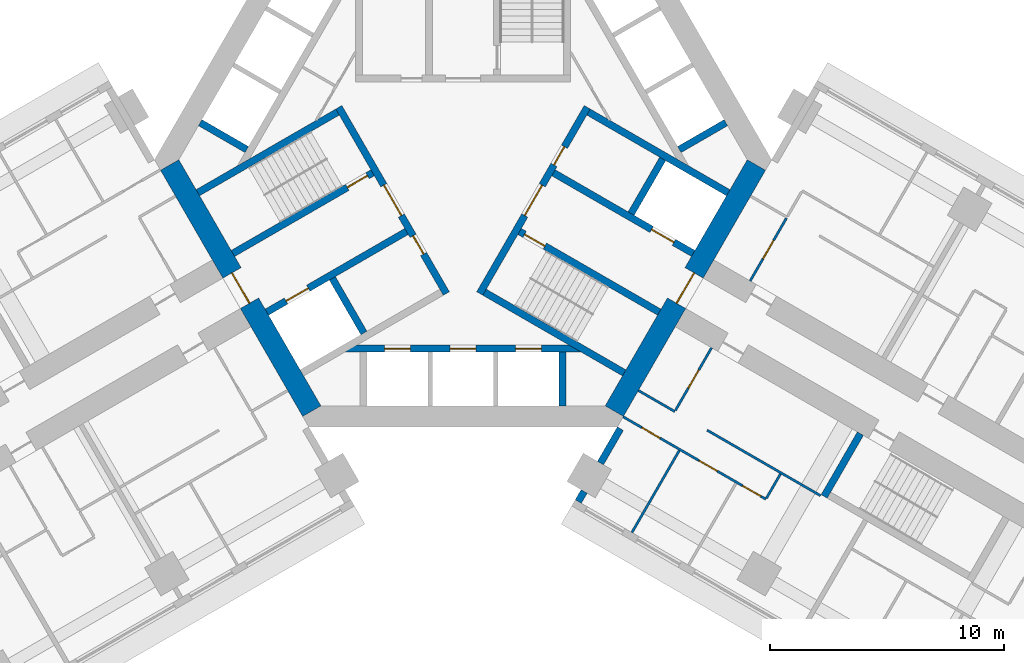
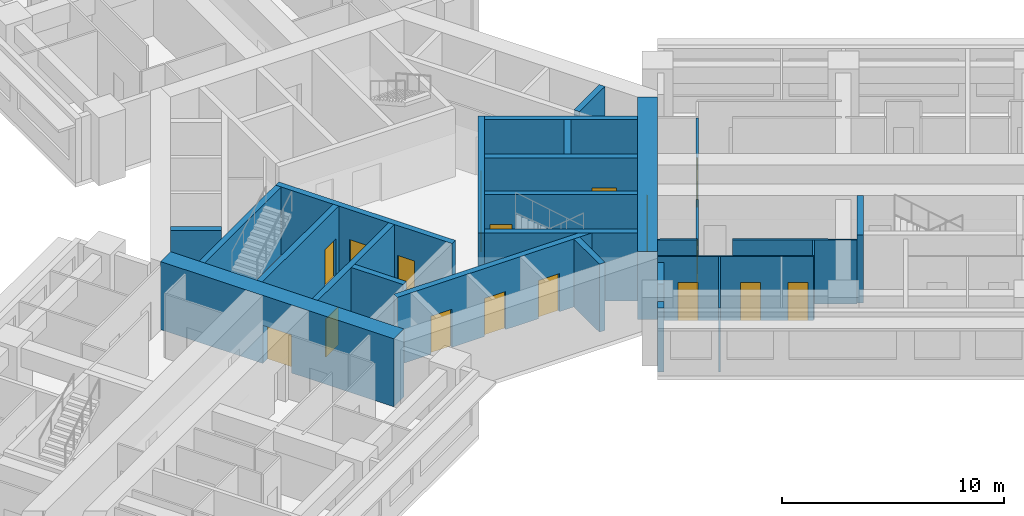
# One storey, part 7 of 16: 27 walls, 18 doors, 18 openings.
"""IFC4 building model written with IfcOpenShell, lengths in metres."""

from ifc_helpers import new_model, si_unit, direction, frame, frame_2d, origin, place, context, subcontext, project, spatial, rectangle, extrude, material, layer, layer_set, type_object, element, fill, save


model = new_model("IFC4")

# Units and contexts
model_context = context("Model", 3, precision=1e-05, world=origin(), true_north=direction((0.0, 1.0)))
body_context = subcontext(model_context, "Body", "Model", "MODEL_VIEW")
ifc_project = project(units=[si_unit("LENGTHUNIT", "METRE"), si_unit("AREAUNIT", "SQUARE_METRE"), si_unit("VOLUMEUNIT", "CUBIC_METRE"), si_unit("PLANEANGLEUNIT", "RADIAN"), si_unit("MASSUNIT", "GRAM", prefix="KILO")], contexts=[model_context])

# Site, building, storey
site_placement = place(None, origin())
site = spatial("IfcSite", under=ifc_project, at=site_placement, CompositionType="ELEMENT")
building_placement = place(site_placement, origin())
building = spatial("IfcBuilding", under=site, at=building_placement, Name="Impinga Residences", CompositionType="ELEMENT")
storey_placement = place(building_placement, frame((0.0, 0.0, 59.75)))
storey = spatial("IfcBuildingStorey", under=building, at=storey_placement, Name="L14", CompositionType="ELEMENT", Elevation=59.75)

# Walls
ifc_material_1 = material(Name="Terracotta rainscreen on blockwork", Category="masonry")
ifc_layer_1 = layer(ifc_material_1, 0.300048828125)
ifc_layer_set_1 = layer_set([ifc_layer_1], Name="EW1 external wall, terracotta rainscreen on blockwork 300")
wall_type_1 = type_object("IfcWallType", Name="EW1 external wall, terracotta rainscreen on blockwork 300", PredefinedType="SOLIDWALL", material=ifc_layer_set_1)
wall_1_placement = place(storey_placement, frame((4.929931640625, -14.624267578125, 0.0), z_axis=(0.0, 0.0, 1.0), x_axis=(0.499919672301, 0.866071776036, 0.0)))
element("IfcWall", 1, at=wall_1_placement, inside=storey, type_object=wall_type_1, Name="External wall EW1 L14", PredefinedType="SOLIDWALL", context=body_context, shape_type="SweptSolid", body=[
    extrude(rectangle(XDim=0.5, YDim=0.300048828125, at=frame_2d((0.25, 0.0))), origin(), (0.0, 0.0, 1.0), 3.530029296875),
])
wall_2_placement = place(storey_placement, frame((5.8798828125, -12.978759765625, 0.0), z_axis=(0.0, 0.0, 1.0), x_axis=(0.500062241894, 0.865989465428, 0.0)))
element("IfcWall", 2, at=wall_2_placement, inside=storey, type_object=wall_type_1, Name="External wall EW1 L14", PredefinedType="SOLIDWALL", context=body_context, shape_type="SweptSolid", body=[
    extrude(rectangle(XDim=1.699951171875, YDim=0.300048828125, at=frame_2d((0.85009765625, 0.0))), origin(), (0.0, 0.0, 1.0), 3.530029296875),
])

# Wall, opening, door
ifc_material_2 = material(Name="Gypsum board on steel studs", Category="steel")
ifc_layer_2 = layer(ifc_material_2, 0.10009765625)
ifc_layer_set_2 = layer_set([ifc_layer_2], Name="Gypsum board on steel studs")
wall_type_2 = type_object("IfcWallType", Name="IP1 partition 100", PredefinedType="PARTITIONING", material=ifc_layer_set_2)
wall_3_placement = place(storey_placement, frame((12.283935546875, -5.186767578125, 0.0), z_axis=(0.0, 0.0, 1.0), x_axis=(0.499967891604, 0.866043940782, 0.0)))
wall_3 = element("IfcWall", 3, at=wall_3_placement, inside=storey, type_object=wall_type_2, Name="Partition L14-EA1:IB1", PredefinedType="PARTITIONING", context=body_context, shape_type="SweptSolid", body=[
    extrude(rectangle(XDim=3.099853515625, YDim=0.10009765625, at=frame_2d((1.5498046875, 0.0))), origin(), (0.0, 0.0, 1.0), 3.530029296875),
])
opening_1_placement = place(wall_3_placement, frame((1.10009765625, 0.0, 0.0)))
opening_1 = element("IfcOpeningElement", 4, at=opening_1_placement, cuts=wall_3, Name="Opening D2", PredefinedType="OPENING", context=body_context, shape_type="SweptSolid", body=[
    extrude(rectangle(XDim=0.89990234375, YDim=2.10009765625, at=frame_2d((0.449951171875, 1.050048828125))), frame((0.0, 0.06005859375, 0.0), z_axis=(0.0, -1.0, 0.0), x_axis=(1.0, 0.0, 0.0)), (0.0, 0.0, 1.0), 0.1201171875),
])
ifc_material_3 = material(Name="Timber door set", Category="wood")
door_type_1 = type_object("IfcDoorType", Name="D2 internal door 900x2100", OperationType="SINGLE_SWING_LEFT", PredefinedType="DOOR", material=ifc_material_3)
door_1_placement = place(opening_1_placement, origin())
door_1 = element("IfcDoor", 5, at=door_1_placement, inside=storey, type_object=door_type_1, Name="Apartment L14-EA1 bathroom door", OperationType="SINGLE_SWING_LEFT", OverallHeight=2.10009765625, OverallWidth=0.89990234375, PredefinedType="DOOR", context=body_context, shape_type="SweptSolid", body=[
    extrude(rectangle(XDim=0.89990234375, YDim=2.10009765625, at=frame_2d((0.449951171875, 1.050048828125))), frame((0.0, 0.02490234375, 0.0), z_axis=(0.0, -1.0, 0.0), x_axis=(1.0, 0.0, 0.0)), (0.0, 0.0, 1.0), 0.050048828125),
])
fill(opening_1, door_1)

# Walls
wall_4_placement = place(storey_placement, frame((7.5, -9.872802734375, 0.0), z_axis=(0.0, 0.0, 1.0), x_axis=(0.866047807691, -0.499961193289, 0.0)))
element("IfcWall", 6, at=wall_4_placement, inside=storey, type_object=wall_type_2, Name="Partition L14-EF1:DIV0", PredefinedType="PARTITIONING", context=body_context, shape_type="SweptSolid", body=[
    extrude(rectangle(XDim=1.800048828125, YDim=0.10009765625, at=frame_2d((0.89990234375, 0.0))), origin(), (0.0, 0.0, 1.0), 3.530029296875),
])
wall_5_placement = place(storey_placement, frame((10.444580078125, -11.57275390625, 0.0), z_axis=(0.0, 0.0, 1.0), x_axis=(0.866015695474, -0.500016814911, 0.0)))
element("IfcWall", 7, at=wall_5_placement, inside=storey, type_object=wall_type_2, Name="Partition L14-EF1:DIV1", PredefinedType="PARTITIONING", context=body_context, shape_type="SweptSolid", body=[
    extrude(rectangle(XDim=5.599853515625, YDim=0.10009765625, at=frame_2d((2.7998046875, 0.0))), origin(), (0.0, 0.0, 1.0), 3.530029296875),
])

# Wall, openings, doors
wall_6_placement = place(storey_placement, frame((6.85009765625, -10.99853515625, 0.0), z_axis=(0.0, 0.0, 1.0), x_axis=(0.866031034943, -0.499990246421, 0.0)))
wall_6 = element("IfcWall", 8, at=wall_6_placement, inside=storey, type_object=wall_type_2, Name="Partition L14-EF1:STRIP", PredefinedType="PARTITIONING", context=body_context, shape_type="SweptSolid", body=[
    extrude(rectangle(XDim=7.050048828125, YDim=0.10009765625, at=frame_2d((3.52490234375, 0.0))), origin(), (0.0, 0.0, 1.0), 3.530029296875),
])
opening_2_placement = place(wall_6_placement, frame((0.925048828125, 0.0, 0.0)))
opening_2 = element("IfcOpeningElement", 9, at=opening_2_placement, cuts=wall_6, Name="Opening D2", PredefinedType="OPENING", context=body_context, shape_type="SweptSolid", body=[
    extrude(rectangle(XDim=0.89990234375, YDim=2.10009765625, at=frame_2d((0.449951171875, 1.050048828125))), frame((0.0, 0.06005859375, 0.0), z_axis=(0.0, -1.0, 0.0), x_axis=(1.0, 0.0, 0.0)), (0.0, 0.0, 1.0), 0.1201171875),
])
opening_3_placement = place(wall_6_placement, frame((3.75, 0.0, 0.0)))
opening_3 = element("IfcOpeningElement", 10, at=opening_3_placement, cuts=wall_6, Name="Opening D2", PredefinedType="OPENING", context=body_context, shape_type="SweptSolid", body=[
    extrude(rectangle(XDim=0.89990234375, YDim=2.10009765625, at=frame_2d((0.449951171875, 1.050048828125))), frame((0.0, 0.06005859375, 0.0), z_axis=(0.0, -1.0, 0.0), x_axis=(1.0, 0.0, 0.0)), (0.0, 0.0, 1.0), 0.1201171875),
])
opening_4_placement = place(wall_6_placement, frame((5.89990234375, 0.0, 0.0)))
opening_4 = element("IfcOpeningElement", 11, at=opening_4_placement, cuts=wall_6, Name="Opening D2", PredefinedType="OPENING", context=body_context, shape_type="SweptSolid", body=[
    extrude(rectangle(XDim=0.89990234375, YDim=2.10009765625, at=frame_2d((0.449951171875, 1.050048828125))), frame((0.0, 0.06005859375, 0.0), z_axis=(0.0, -1.0, 0.0), x_axis=(1.0, 0.0, 0.0)), (0.0, 0.0, 1.0), 0.1201171875),
])
door_2_placement = place(opening_2_placement, origin())
door_2 = element("IfcDoor", 12, at=door_2_placement, inside=storey, type_object=door_type_1, Name="Apartment L14-EF1 room door", OperationType="SINGLE_SWING_LEFT", OverallHeight=2.10009765625, OverallWidth=0.89990234375, PredefinedType="DOOR", context=body_context, shape_type="SweptSolid", body=[
    extrude(rectangle(XDim=0.89990234375, YDim=2.10009765625, at=frame_2d((0.449951171875, 1.050048828125))), frame((0.0, 0.02490234375, 0.0), z_axis=(0.0, -1.0, 0.0), x_axis=(1.0, 0.0, 0.0)), (0.0, 0.0, 1.0), 0.050048828125),
])
fill(opening_2, door_2)
door_3_placement = place(opening_3_placement, origin())
door_3 = element("IfcDoor", 13, at=door_3_placement, inside=storey, type_object=door_type_1, Name="Apartment L14-EF1 room door", OperationType="SINGLE_SWING_RIGHT", OverallHeight=2.10009765625, OverallWidth=0.89990234375, PredefinedType="DOOR", context=body_context, shape_type="SweptSolid", body=[
    extrude(rectangle(XDim=0.89990234375, YDim=2.10009765625, at=frame_2d((0.449951171875, 1.050048828125))), frame((0.0, 0.02490234375, 0.0), z_axis=(0.0, -1.0, 0.0), x_axis=(1.0, 0.0, 0.0)), (0.0, 0.0, 1.0), 0.050048828125),
])
fill(opening_3, door_3)
door_4_placement = place(opening_4_placement, origin())
door_4 = element("IfcDoor", 14, at=door_4_placement, inside=storey, type_object=door_type_1, Name="Apartment L14-EF1 room door", OperationType="SINGLE_SWING_RIGHT", OverallHeight=2.10009765625, OverallWidth=0.89990234375, PredefinedType="DOOR", context=body_context, shape_type="SweptSolid", body=[
    extrude(rectangle(XDim=0.89990234375, YDim=2.10009765625, at=frame_2d((0.449951171875, 1.050048828125))), frame((0.0, 0.02490234375, 0.0), z_axis=(0.0, -1.0, 0.0), x_axis=(1.0, 0.0, 0.0)), (0.0, 0.0, 1.0), 0.050048828125),
])
fill(opening_4, door_4)

# Wall
wall_7_placement = place(storey_placement, frame((13.58056640625, -13.44091796875, 0.0), z_axis=(0.0, 0.0, 1.0), x_axis=(-0.500033551112, -0.866006032174, 0.0)))
element("IfcWall", 15, at=wall_7_placement, inside=storey, type_object=wall_type_2, Name="Partition L14-EF1:SE1", PredefinedType="PARTITIONING", context=body_context, shape_type="SweptSolid", body=[
    extrude(rectangle(XDim=1.2001953125, YDim=0.10009765625, at=frame_2d((0.60009765625, 0.0))), origin(), (0.0, 0.0, 1.0), 3.530029296875),
])

# Wall, opening, door
wall_8_placement = place(storey_placement, frame((10.6337890625, -8.044677734375, 0.0), z_axis=(0.0, 0.0, 1.0), x_axis=(-0.49999285859, -0.86602952684, 0.0)))
wall_8 = element("IfcWall", 16, at=wall_8_placement, inside=storey, type_object=wall_type_2, Name="Partition L14-EF1:IB1", PredefinedType="PARTITIONING", context=body_context, shape_type="SweptSolid", body=[
    extrude(rectangle(XDim=3.10009765625, YDim=0.10009765625, at=frame_2d((1.550048828125, 0.0))), origin(), (0.0, 0.0, 1.0), 3.530029296875),
])
opening_5_placement = place(wall_8_placement, frame((1.10009765625, 0.0, 0.0)))
opening_5 = element("IfcOpeningElement", 17, at=opening_5_placement, cuts=wall_8, Name="Opening D2", PredefinedType="OPENING", context=body_context, shape_type="SweptSolid", body=[
    extrude(rectangle(XDim=0.89990234375, YDim=2.10009765625, at=frame_2d((0.449951171875, 1.050048828125))), frame((0.0, 0.06005859375, 0.0), z_axis=(0.0, -1.0, 0.0), x_axis=(1.0, 0.0, 0.0)), (0.0, 0.0, 1.0), 0.1201171875),
])
door_5_placement = place(opening_5_placement, origin())
door_5 = element("IfcDoor", 18, at=door_5_placement, inside=storey, type_object=door_type_1, Name="Apartment L14-EF1 bathroom door", OperationType="SINGLE_SWING_LEFT", OverallHeight=2.10009765625, OverallWidth=0.89990234375, PredefinedType="DOOR", context=body_context, shape_type="SweptSolid", body=[
    extrude(rectangle(XDim=0.89990234375, YDim=2.10009765625, at=frame_2d((0.449951171875, 1.050048828125))), frame((0.0, 0.02490234375, 0.0), z_axis=(0.0, -1.0, 0.0), x_axis=(1.0, 0.0, 0.0)), (0.0, 0.0, 1.0), 0.050048828125),
])
fill(opening_5, door_5)

# Walls
wall_9_placement = place(storey_placement, frame((9.249755859375, -12.44189453125, 0.0), z_axis=(0.0, 0.0, 1.0), x_axis=(-0.499990325971, -0.866030989016, 0.0)))
element("IfcWall", 19, at=wall_9_placement, inside=storey, type_object=wall_type_2, Name="Partition L14-EF1:OB1", PredefinedType="PARTITIONING", context=body_context, shape_type="SweptSolid", body=[
    extrude(rectangle(XDim=4.0498046875, YDim=0.10009765625, at=frame_2d((2.02490234375, 0.0))), origin(), (0.0, 0.0, 1.0), 3.530029296875),
])
ifc_material_4 = material(Name="Concrete C60/75", Category="concrete")
ifc_layer_3 = layer(ifc_material_4, 0.300048828125)
ifc_layer_set_3 = layer_set([ifc_layer_3], Name="Concrete C60/75")
wall_type_3 = type_object("IfcWallType", Name="SE1 wing stair enclosure wall 300", PredefinedType="SOLIDWALL", material=ifc_layer_set_3)
wall_10_placement = place(storey_placement, frame((16.9990234375, -11.7197265625, 0.0), z_axis=(0.0, 0.0, 1.0), x_axis=(-0.499967891604, -0.866043940782, 0.0)))
element("IfcWall", 20, at=wall_10_placement, inside=storey, type_object=wall_type_3, Name="Stair enclosure wall SE1 E END0 L14", PredefinedType="SOLIDWALL", context=body_context, shape_type="SweptSolid", body=[
    extrude(rectangle(XDim=3.099853515625, YDim=0.300048828125, at=frame_2d((1.5498046875, 0.0))), origin(), (0.0, 0.0, 1.0), 3.75),
])

# Wall, opening, door
ifc_material_5 = material(Name="Concrete C70/85", Category="concrete")
ifc_layer_4 = layer(ifc_material_5, 0.89990234375)
ifc_layer_set_4 = layer_set([ifc_layer_4], Name="Concrete C70/85")
wall_type_4 = type_object("IfcWallType", Name="SW1 core wall 900", PredefinedType="SHEAR", material=ifc_layer_set_4)
wall_11_placement = place(storey_placement, frame((-6.47021484375, -10.756591796875, 0.0), z_axis=(0.0, 0.0, 1.0), x_axis=(-0.499997612506, 0.8660267822, 0.0)))
wall_11 = element("IfcWall", 21, at=wall_11_placement, inside=storey, type_object=wall_type_4, Name="Core wall SW1 W:FACE L14", PredefinedType="SHEAR", context=body_context, shape_type="SweptSolid", body=[
    extrude(rectangle(XDim=12.16064453125, YDim=0.89990234375, at=frame_2d((6.080322265625, 0.0))), origin(), (0.0, 0.0, 1.0), 3.75),
])
opening_6_placement = place(wall_11_placement, frame((5.330322265625, 0.0, 0.0)))
opening_6 = element("IfcOpeningElement", 22, at=opening_6_placement, cuts=wall_11, Name="Opening D4", PredefinedType="OPENING", context=body_context, shape_type="SweptSolid", body=[
    extrude(rectangle(XDim=1.5, YDim=2.10009765625, at=frame_2d((0.75, 1.050048828125))), frame((0.0, 0.4599609375, 0.0), z_axis=(0.0, -1.0, 0.0), x_axis=(1.0, 0.0, 0.0)), (0.0, 0.0, 1.0), 0.919921875),
])
door_type_2 = type_object("IfcDoorType", Name="D4 lobby door pair 1500x2100", OperationType="DOUBLE_DOOR_DOUBLE_SWING", PredefinedType="DOOR", material=ifc_material_3)
door_6_placement = place(opening_6_placement, origin())
door_6 = element("IfcDoor", 23, at=door_6_placement, inside=storey, type_object=door_type_2, Name="Lobby door W", OperationType="DOUBLE_DOOR_DOUBLE_SWING", OverallHeight=2.10009765625, OverallWidth=1.5, PredefinedType="DOOR", context=body_context, shape_type="SweptSolid", body=[
    extrude(rectangle(XDim=1.5, YDim=2.10009765625, at=frame_2d((0.75, 1.050048828125))), frame((0.0, 0.02490234375, 0.0), z_axis=(0.0, -1.0, 0.0), x_axis=(1.0, 0.0, 0.0)), (0.0, 0.0, 1.0), 0.050048828125),
])
fill(opening_6, door_6)

wall_12_placement = place(storey_placement, frame((12.550537109375, -0.22509765625, 0.0), z_axis=(0.0, 0.0, 1.0), x_axis=(-0.499997612506, -0.8660267822, 0.0)))
wall_12 = element("IfcWall", 24, at=wall_12_placement, inside=storey, type_object=wall_type_4, Name="Core wall SW1 E:FACE L14", PredefinedType="SHEAR", context=body_context, shape_type="SweptSolid", body=[
    extrude(rectangle(XDim=12.16064453125, YDim=0.89990234375, at=frame_2d((6.080322265625, 0.0))), origin(), (0.0, 0.0, 1.0), 3.75),
])
opening_7_placement = place(wall_12_placement, frame((5.330322265625, 0.0, 0.0)))
opening_7 = element("IfcOpeningElement", 25, at=opening_7_placement, cuts=wall_12, Name="Opening D4", PredefinedType="OPENING", context=body_context, shape_type="SweptSolid", body=[
    extrude(rectangle(XDim=1.5, YDim=2.10009765625, at=frame_2d((0.75, 1.050048828125))), frame((0.0, 0.4599609375, 0.0), z_axis=(0.0, -1.0, 0.0), x_axis=(1.0, 0.0, 0.0)), (0.0, 0.0, 1.0), 0.919921875),
])
door_7_placement = place(opening_7_placement, origin())
door_7 = element("IfcDoor", 26, at=door_7_placement, inside=storey, type_object=door_type_2, Name="Lobby door E", OperationType="DOUBLE_DOOR_DOUBLE_SWING", OverallHeight=2.10009765625, OverallWidth=1.5, PredefinedType="DOOR", context=body_context, shape_type="SweptSolid", body=[
    extrude(rectangle(XDim=1.5, YDim=2.10009765625, at=frame_2d((0.75, 1.050048828125))), frame((0.0, 0.02490234375, 0.0), z_axis=(0.0, -1.0, 0.0), x_axis=(1.0, 0.0, 0.0)), (0.0, 0.0, 1.0), 0.050048828125),
])
fill(opening_7, door_7)

# Wall, openings, doors
ifc_layer_5 = layer(ifc_material_5, 0.300048828125)
ifc_layer_set_5 = layer_set([ifc_layer_5], Name="Concrete C70/85")
wall_type_5 = type_object("IfcWallType", Name="SW5 core inner wall, stairs, shafts and lobbies 300", PredefinedType="SHEAR", material=ifc_layer_set_5)
wall_13_placement = place(storey_placement, frame((-0.7138671875, -5.7236328125, 0.0), z_axis=(0.0, 0.0, 1.0), x_axis=(-0.499995050369, 0.866028261437, 0.0)))
wall_13 = element("IfcWall", 27, at=wall_13_placement, inside=storey, type_object=wall_type_5, Name="Core wall SW5 W:ZONE L14", PredefinedType="SHEAR", context=body_context, shape_type="SweptSolid", body=[
    extrude(rectangle(XDim=9.19970703125, YDim=0.300048828125, at=frame_2d((4.599853515625, 0.0))), origin(), (0.0, 0.0, 1.0), 3.75),
])
opening_8_placement = place(wall_13_placement, frame((3.85009765625, 0.0, 0.0)))
opening_8 = element("IfcOpeningElement", 28, at=opening_8_placement, cuts=wall_13, Name="Opening D4", PredefinedType="OPENING", context=body_context, shape_type="SweptSolid", body=[
    extrude(rectangle(XDim=1.5, YDim=2.10009765625, at=frame_2d((0.75, 1.050048828125))), frame((0.0, 0.159912109375, 0.0), z_axis=(0.0, -1.0, 0.0), x_axis=(1.0, 0.0, 0.0)), (0.0, 0.0, 1.0), 0.320068359375),
])
opening_9_placement = place(wall_13_placement, frame((1.949951171875, 0.0, 0.0)))
opening_9 = element("IfcOpeningElement", 29, at=opening_9_placement, cuts=wall_13, Name="Opening D6", PredefinedType="OPENING", context=body_context, shape_type="SweptSolid", body=[
    extrude(rectangle(XDim=0.89990234375, YDim=2.10009765625, at=frame_2d((0.449951171875, 1.050048828125))), frame((0.0, 0.159912109375, 0.0), z_axis=(0.0, -1.0, 0.0), x_axis=(1.0, 0.0, 0.0)), (0.0, 0.0, 1.0), 0.320068359375),
])
door_8_placement = place(opening_8_placement, origin())
door_8 = element("IfcDoor", 30, at=door_8_placement, inside=storey, type_object=door_type_2, Name="Firefighting lobby door W", OperationType="DOUBLE_DOOR_DOUBLE_SWING", OverallHeight=2.10009765625, OverallWidth=1.5, PredefinedType="DOOR", context=body_context, shape_type="SweptSolid", body=[
    extrude(rectangle(XDim=1.5, YDim=2.10009765625, at=frame_2d((0.75, 1.050048828125))), frame((0.0, 0.02490234375, 0.0), z_axis=(0.0, -1.0, 0.0), x_axis=(1.0, 0.0, 0.0)), (0.0, 0.0, 1.0), 0.050048828125),
])
fill(opening_8, door_8)
door_type_3 = type_object("IfcDoorType", Name="D6 riser and store door 900x2100", OperationType="SINGLE_SWING_LEFT", PredefinedType="DOOR", material=ifc_material_3)
door_9_placement = place(opening_9_placement, origin())
door_9 = element("IfcDoor", 31, at=door_9_placement, inside=storey, type_object=door_type_3, Name="Riser door W", OperationType="SINGLE_SWING_LEFT", OverallHeight=2.10009765625, OverallWidth=0.89990234375, PredefinedType="DOOR", context=body_context, shape_type="SweptSolid", body=[
    extrude(rectangle(XDim=0.89990234375, YDim=2.10009765625, at=frame_2d((0.449951171875, 1.050048828125))), frame((0.0, 0.02490234375, 0.0), z_axis=(0.0, -1.0, 0.0), x_axis=(1.0, 0.0, 0.0)), (0.0, 0.0, 1.0), 0.050048828125),
])
fill(opening_9, door_9)

# Wall, opening, door
wall_14_placement = place(storey_placement, frame((-3.86865234375, -0.559326171875, 0.0), z_axis=(0.0, 0.0, 1.0), x_axis=(-0.86602711848, -0.499997030048, 0.0)))
wall_14 = element("IfcWall", 32, at=wall_14_placement, inside=storey, type_object=wall_type_5, Name="Core wall SW5 W:ST-IN L14", PredefinedType="SHEAR", context=body_context, shape_type="SweptSolid", body=[
    extrude(rectangle(XDim=6.9013671875, YDim=0.300048828125, at=frame_2d((3.45068359375, 0.0))), origin(), (0.0, 0.0, 1.0), 3.75),
])
opening_10_placement = place(wall_14_placement, frame((0.25, 0.0, 0.0)))
opening_10 = element("IfcOpeningElement", 33, at=opening_10_placement, cuts=wall_14, Name="Opening D5", PredefinedType="OPENING", context=body_context, shape_type="SweptSolid", body=[
    extrude(rectangle(XDim=1.0, YDim=2.10009765625, at=frame_2d((0.5, 1.050048828125))), frame((0.0, 0.159912109375, 0.0), z_axis=(0.0, -1.0, 0.0), x_axis=(1.0, 0.0, 0.0)), (0.0, 0.0, 1.0), 0.320068359375),
])
door_type_4 = type_object("IfcDoorType", Name="D5 stair door 1000x2100", OperationType="SINGLE_SWING_LEFT", PredefinedType="DOOR", material=ifc_material_3)
door_10_placement = place(opening_10_placement, origin())
door_10 = element("IfcDoor", 34, at=door_10_placement, inside=storey, type_object=door_type_4, Name="Stair door W", OperationType="SINGLE_SWING_LEFT", OverallHeight=2.10009765625, OverallWidth=1.0, PredefinedType="DOOR", context=body_context, shape_type="SweptSolid", body=[
    extrude(rectangle(XDim=1.0, YDim=2.10009765625, at=frame_2d((0.5, 1.050048828125))), frame((0.0, 0.02490234375, 0.0), z_axis=(0.0, -1.0, 0.0), x_axis=(1.0, 0.0, 0.0)), (0.0, 0.0, 1.0), 0.050048828125),
])
fill(opening_10, door_10)

# Wall
wall_15_placement = place(storey_placement, frame((-5.36865234375, 2.038818359375, 0.0), z_axis=(0.0, 0.0, 1.0), x_axis=(-0.86602711848, -0.499997030048, 0.0)))
element("IfcWall", 35, at=wall_15_placement, inside=storey, type_object=wall_type_5, Name="Core wall SW5 W:ST-OUT L14", PredefinedType="SHEAR", context=body_context, shape_type="SweptSolid", body=[
    extrude(rectangle(XDim=6.9013671875, YDim=0.300048828125, at=frame_2d((3.45068359375, 0.0))), origin(), (0.0, 0.0, 1.0), 3.75),
])

# Wall, opening, door
wall_16_placement = place(storey_placement, frame((-2.418701171875, -3.07080078125, 0.0), z_axis=(0.0, 0.0, 1.0), x_axis=(-0.86602711848, -0.499997030048, 0.0)))
wall_16 = element("IfcWall", 36, at=wall_16_placement, inside=storey, type_object=wall_type_5, Name="Core wall SW5 W:FF-IN L14", PredefinedType="SHEAR", context=body_context, shape_type="SweptSolid", body=[
    extrude(rectangle(XDim=6.9013671875, YDim=0.300048828125, at=frame_2d((3.45068359375, 0.0))), origin(), (0.0, 0.0, 1.0), 3.75),
])
opening_11_placement = place(wall_16_placement, frame((4.85009765625, 0.0, 0.0)))
opening_11 = element("IfcOpeningElement", 37, at=opening_11_placement, cuts=wall_16, Name="Opening LD2", PredefinedType="OPENING", context=body_context, shape_type="SweptSolid", body=[
    extrude(rectangle(XDim=1.10009765625, YDim=2.10009765625, at=frame_2d((0.550048828125, 1.050048828125))), frame((0.0, 0.159912109375, 0.0), z_axis=(0.0, -1.0, 0.0), x_axis=(1.0, 0.0, 0.0)), (0.0, 0.0, 1.0), 0.320068359375),
])
ifc_material_6 = material(Name="Steel lift landing door", Category="steel")
door_type_5 = type_object("IfcDoorType", Name="LD2 firefighting lift landing door 1100x2100", OperationType="DOUBLE_DOOR_SLIDING", PredefinedType="DOOR", material=ifc_material_6)
door_11_placement = place(opening_11_placement, origin())
door_11 = element("IfcDoor", 38, at=door_11_placement, inside=storey, type_object=door_type_5, Name="Firefighting lift landing door F2", OperationType="DOUBLE_DOOR_SLIDING", OverallHeight=2.10009765625, OverallWidth=1.10009765625, PredefinedType="DOOR", context=body_context, shape_type="SweptSolid", body=[
    extrude(rectangle(XDim=1.10009765625, YDim=2.10009765625, at=frame_2d((0.550048828125, 1.050048828125))), frame((0.0, 0.02490234375, 0.0), z_axis=(0.0, -1.0, 0.0), x_axis=(1.0, 0.0, 0.0)), (0.0, 0.0, 1.0), 0.050048828125),
])
fill(opening_11, door_11)

# Wall
wall_17_placement = place(storey_placement, frame((-4.2412109375, -7.413818359375, 0.0), z_axis=(0.0, 0.0, 1.0), x_axis=(-0.500048589285, 0.86599734893, 0.0)))
element("IfcWall", 39, at=wall_17_placement, inside=storey, type_object=wall_type_5, Name="Core wall SW5 W:FF-RS L14", PredefinedType="SHEAR", context=body_context, shape_type="SweptSolid", body=[
    extrude(rectangle(XDim=2.699951171875, YDim=0.300048828125, at=frame_2d((1.35009765625, 0.0))), origin(), (0.0, 0.0, 1.0), 3.75),
])

# Wall, openings, doors
wall_18_placement = place(storey_placement, frame((5.313720703125, 2.24365234375, 0.0), z_axis=(0.0, 0.0, 1.0), x_axis=(-0.499995050369, -0.866028261437, 0.0)))
wall_18 = element("IfcWall", 40, at=wall_18_placement, inside=storey, type_object=wall_type_5, Name="Core wall SW5 E:ZONE L14", PredefinedType="SHEAR", context=body_context, shape_type="SweptSolid", body=[
    extrude(rectangle(XDim=9.19970703125, YDim=0.300048828125, at=frame_2d((4.599853515625, 0.0))), origin(), (0.0, 0.0, 1.0), 3.75),
])
opening_12_placement = place(wall_18_placement, frame((3.85009765625, 0.0, 0.0)))
opening_12 = element("IfcOpeningElement", 41, at=opening_12_placement, cuts=wall_18, Name="Opening D4", PredefinedType="OPENING", context=body_context, shape_type="SweptSolid", body=[
    extrude(rectangle(XDim=1.5, YDim=2.10009765625, at=frame_2d((0.75, 1.050048828125))), frame((0.0, 0.159912109375, 0.0), z_axis=(0.0, -1.0, 0.0), x_axis=(1.0, 0.0, 0.0)), (0.0, 0.0, 1.0), 0.320068359375),
])
opening_13_placement = place(wall_18_placement, frame((1.949951171875, 0.0, 0.0)))
opening_13 = element("IfcOpeningElement", 42, at=opening_13_placement, cuts=wall_18, Name="Opening D6", PredefinedType="OPENING", context=body_context, shape_type="SweptSolid", body=[
    extrude(rectangle(XDim=0.89990234375, YDim=2.10009765625, at=frame_2d((0.449951171875, 1.050048828125))), frame((0.0, 0.159912109375, 0.0), z_axis=(0.0, -1.0, 0.0), x_axis=(1.0, 0.0, 0.0)), (0.0, 0.0, 1.0), 0.320068359375),
])
door_12_placement = place(opening_12_placement, origin())
door_12 = element("IfcDoor", 43, at=door_12_placement, inside=storey, type_object=door_type_2, Name="Firefighting lobby door E", OperationType="DOUBLE_DOOR_DOUBLE_SWING", OverallHeight=2.10009765625, OverallWidth=1.5, PredefinedType="DOOR", context=body_context, shape_type="SweptSolid", body=[
    extrude(rectangle(XDim=1.5, YDim=2.10009765625, at=frame_2d((0.75, 1.050048828125))), frame((0.0, 0.02490234375, 0.0), z_axis=(0.0, -1.0, 0.0), x_axis=(1.0, 0.0, 0.0)), (0.0, 0.0, 1.0), 0.050048828125),
])
fill(opening_12, door_12)
door_13_placement = place(opening_13_placement, origin())
door_13 = element("IfcDoor", 44, at=door_13_placement, inside=storey, type_object=door_type_3, Name="Riser door E", OperationType="SINGLE_SWING_LEFT", OverallHeight=2.10009765625, OverallWidth=0.89990234375, PredefinedType="DOOR", context=body_context, shape_type="SweptSolid", body=[
    extrude(rectangle(XDim=0.89990234375, YDim=2.10009765625, at=frame_2d((0.449951171875, 1.050048828125))), frame((0.0, 0.02490234375, 0.0), z_axis=(0.0, -1.0, 0.0), x_axis=(1.0, 0.0, 0.0)), (0.0, 0.0, 1.0), 0.050048828125),
])
fill(opening_13, door_13)

# Wall, opening, door
wall_19_placement = place(storey_placement, frame((2.418701171875, -3.07080078125, 0.0), z_axis=(0.0, 0.0, 1.0), x_axis=(0.86602711848, -0.499997030048, 0.0)))
wall_19 = element("IfcWall", 45, at=wall_19_placement, inside=storey, type_object=wall_type_5, Name="Core wall SW5 E:ST-IN L14", PredefinedType="SHEAR", context=body_context, shape_type="SweptSolid", body=[
    extrude(rectangle(XDim=6.9013671875, YDim=0.300048828125, at=frame_2d((3.45068359375, 0.0))), origin(), (0.0, 0.0, 1.0), 3.75),
])
opening_14_placement = place(wall_19_placement, frame((0.25, 0.0, 0.0)))
opening_14 = element("IfcOpeningElement", 46, at=opening_14_placement, cuts=wall_19, Name="Opening D5", PredefinedType="OPENING", context=body_context, shape_type="SweptSolid", body=[
    extrude(rectangle(XDim=1.0, YDim=2.10009765625, at=frame_2d((0.5, 1.050048828125))), frame((0.0, 0.159912109375, 0.0), z_axis=(0.0, -1.0, 0.0), x_axis=(1.0, 0.0, 0.0)), (0.0, 0.0, 1.0), 0.320068359375),
])
door_14_placement = place(opening_14_placement, origin())
door_14 = element("IfcDoor", 47, at=door_14_placement, inside=storey, type_object=door_type_4, Name="Stair door E", OperationType="SINGLE_SWING_LEFT", OverallHeight=2.10009765625, OverallWidth=1.0, PredefinedType="DOOR", context=body_context, shape_type="SweptSolid", body=[
    extrude(rectangle(XDim=1.0, YDim=2.10009765625, at=frame_2d((0.5, 1.050048828125))), frame((0.0, 0.02490234375, 0.0), z_axis=(0.0, -1.0, 0.0), x_axis=(1.0, 0.0, 0.0)), (0.0, 0.0, 1.0), 0.050048828125),
])
fill(opening_14, door_14)

# Wall
wall_20_placement = place(storey_placement, frame((0.918701171875, -5.668701171875, 0.0), z_axis=(0.0, 0.0, 1.0), x_axis=(0.866011800373, -0.500023561059, 0.0)))
element("IfcWall", 48, at=wall_20_placement, inside=storey, type_object=wall_type_5, Name="Core wall SW5 E:ST-OUT L14", PredefinedType="SHEAR", context=body_context, shape_type="SweptSolid", body=[
    extrude(rectangle(XDim=6.901611328125, YDim=0.300048828125, at=frame_2d((3.45068359375, 0.0))), origin(), (0.0, 0.0, 1.0), 3.75),
])

# Wall, opening, door
wall_21_placement = place(storey_placement, frame((3.86865234375, -0.559326171875, 0.0), z_axis=(0.0, 0.0, 1.0), x_axis=(0.86602711848, -0.499997030048, 0.0)))
wall_21 = element("IfcWall", 49, at=wall_21_placement, inside=storey, type_object=wall_type_5, Name="Core wall SW5 E:FF-IN L14", PredefinedType="SHEAR", context=body_context, shape_type="SweptSolid", body=[
    extrude(rectangle(XDim=6.9013671875, YDim=0.300048828125, at=frame_2d((3.45068359375, 0.0))), origin(), (0.0, 0.0, 1.0), 3.75),
])
opening_15_placement = place(wall_21_placement, frame((4.85009765625, 0.0, 0.0)))
opening_15 = element("IfcOpeningElement", 50, at=opening_15_placement, cuts=wall_21, Name="Opening LD2", PredefinedType="OPENING", context=body_context, shape_type="SweptSolid", body=[
    extrude(rectangle(XDim=1.10009765625, YDim=2.10009765625, at=frame_2d((0.550048828125, 1.050048828125))), frame((0.0, 0.159912109375, 0.0), z_axis=(0.0, -1.0, 0.0), x_axis=(1.0, 0.0, 0.0)), (0.0, 0.0, 1.0), 0.320068359375),
])
door_15_placement = place(opening_15_placement, origin())
door_15 = element("IfcDoor", 51, at=door_15_placement, inside=storey, type_object=door_type_5, Name="Firefighting lift landing door F3", OperationType="DOUBLE_DOOR_SLIDING", OverallHeight=2.10009765625, OverallWidth=1.10009765625, PredefinedType="DOOR", context=body_context, shape_type="SweptSolid", body=[
    extrude(rectangle(XDim=1.10009765625, YDim=2.10009765625, at=frame_2d((0.550048828125, 1.050048828125))), frame((0.0, 0.02490234375, 0.0), z_axis=(0.0, -1.0, 0.0), x_axis=(1.0, 0.0, 0.0)), (0.0, 0.0, 1.0), 0.050048828125),
])
fill(opening_15, door_15)

# Walls
wall_22_placement = place(storey_placement, frame((5.36865234375, 2.038818359375, 0.0), z_axis=(0.0, 0.0, 1.0), x_axis=(0.86602711848, -0.499997030048, 0.0)))
element("IfcWall", 52, at=wall_22_placement, inside=storey, type_object=wall_type_5, Name="Core wall SW5 E:FF-OUT L14", PredefinedType="SHEAR", context=body_context, shape_type="SweptSolid", body=[
    extrude(rectangle(XDim=6.9013671875, YDim=0.300048828125, at=frame_2d((3.45068359375, 0.0))), origin(), (0.0, 0.0, 1.0), 3.75),
])
wall_23_placement = place(storey_placement, frame((8.541259765625, 0.033935546875, 0.0), z_axis=(0.0, 0.0, 1.0), x_axis=(-0.50000943426, -0.866019956843, 0.0)))
element("IfcWall", 53, at=wall_23_placement, inside=storey, type_object=wall_type_5, Name="Core wall SW5 E:FF-RS L14", PredefinedType="SHEAR", context=body_context, shape_type="SweptSolid", body=[
    extrude(rectangle(XDim=2.7001953125, YDim=0.300048828125, at=frame_2d((1.35009765625, 0.0))), origin(), (0.0, 0.0, 1.0), 3.75),
])

# Wall, openings, doors
wall_24_placement = place(storey_placement, frame((5.09765625, -8.08154296875, 0.0), z_axis=(0.0, 0.0, 1.0), x_axis=(-1.0, 0.0, 0.0)))
wall_24 = element("IfcWall", 54, at=wall_24_placement, inside=storey, type_object=wall_type_5, Name="Core wall SW5 N:BANK-FRONT L14", PredefinedType="SHEAR", context=body_context, shape_type="SweptSolid", body=[
    extrude(rectangle(XDim=10.1953125, YDim=0.300048828125, at=frame_2d((5.09765625, 0.0))), origin(), (0.0, 0.0, 1.0), 3.75),
])
opening_16_placement = place(wall_24_placement, frame((1.74755859375, 0.0, 0.0)))
opening_16 = element("IfcOpeningElement", 55, at=opening_16_placement, cuts=wall_24, Name="Opening LD1", PredefinedType="OPENING", context=body_context, shape_type="SweptSolid", body=[
    extrude(rectangle(XDim=1.10009765625, YDim=2.10009765625, at=frame_2d((0.550048828125, 1.050048828125))), frame((0.0, 0.159912109375, 0.0), z_axis=(0.0, -1.0, 0.0), x_axis=(1.0, 0.0, 0.0)), (0.0, 0.0, 1.0), 0.320068359375),
])
opening_17_placement = place(wall_24_placement, frame((4.547607421875, 0.0, 0.0)))
opening_17 = element("IfcOpeningElement", 56, at=opening_17_placement, cuts=wall_24, Name="Opening LD1", PredefinedType="OPENING", context=body_context, shape_type="SweptSolid", body=[
    extrude(rectangle(XDim=1.10009765625, YDim=2.10009765625, at=frame_2d((0.550048828125, 1.050048828125))), frame((0.0, 0.159912109375, 0.0), z_axis=(0.0, -1.0, 0.0), x_axis=(1.0, 0.0, 0.0)), (0.0, 0.0, 1.0), 0.320068359375),
])
opening_18_placement = place(wall_24_placement, frame((7.34765625, 0.0, 0.0)))
opening_18 = element("IfcOpeningElement", 57, at=opening_18_placement, cuts=wall_24, Name="Opening LD1", PredefinedType="OPENING", context=body_context, shape_type="SweptSolid", body=[
    extrude(rectangle(XDim=1.10009765625, YDim=2.10009765625, at=frame_2d((0.550048828125, 1.050048828125))), frame((0.0, 0.159912109375, 0.0), z_axis=(0.0, -1.0, 0.0), x_axis=(1.0, 0.0, 0.0)), (0.0, 0.0, 1.0), 0.320068359375),
])
door_type_6 = type_object("IfcDoorType", Name="LD1 passenger lift landing door 1100x2100", OperationType="DOUBLE_DOOR_SLIDING", PredefinedType="DOOR", material=ifc_material_6)
door_16_placement = place(opening_16_placement, origin())
door_16 = element("IfcDoor", 58, at=door_16_placement, inside=storey, type_object=door_type_6, Name="Lift landing door P1", OperationType="DOUBLE_DOOR_SLIDING", OverallHeight=2.10009765625, OverallWidth=1.10009765625, PredefinedType="DOOR", context=body_context, shape_type="SweptSolid", body=[
    extrude(rectangle(XDim=1.10009765625, YDim=2.10009765625, at=frame_2d((0.550048828125, 1.050048828125))), frame((0.0, 0.02490234375, 0.0), z_axis=(0.0, -1.0, 0.0), x_axis=(1.0, 0.0, 0.0)), (0.0, 0.0, 1.0), 0.050048828125),
])
fill(opening_16, door_16)
door_17_placement = place(opening_17_placement, origin())
door_17 = element("IfcDoor", 59, at=door_17_placement, inside=storey, type_object=door_type_6, Name="Lift landing door P2", OperationType="DOUBLE_DOOR_SLIDING", OverallHeight=2.10009765625, OverallWidth=1.10009765625, PredefinedType="DOOR", context=body_context, shape_type="SweptSolid", body=[
    extrude(rectangle(XDim=1.10009765625, YDim=2.10009765625, at=frame_2d((0.550048828125, 1.050048828125))), frame((0.0, 0.02490234375, 0.0), z_axis=(0.0, -1.0, 0.0), x_axis=(1.0, 0.0, 0.0)), (0.0, 0.0, 1.0), 0.050048828125),
])
fill(opening_17, door_17)
door_18_placement = place(opening_18_placement, origin())
door_18 = element("IfcDoor", 60, at=door_18_placement, inside=storey, type_object=door_type_6, Name="Lift landing door P3", OperationType="DOUBLE_DOOR_SLIDING", OverallHeight=2.10009765625, OverallWidth=1.10009765625, PredefinedType="DOOR", context=body_context, shape_type="SweptSolid", body=[
    extrude(rectangle(XDim=1.10009765625, YDim=2.10009765625, at=frame_2d((0.550048828125, 1.050048828125))), frame((0.0, 0.02490234375, 0.0), z_axis=(0.0, -1.0, 0.0), x_axis=(1.0, 0.0, 0.0)), (0.0, 0.0, 1.0), 0.050048828125),
])
fill(opening_18, door_18)

# Walls
for number, where, z_axis, x_axis, name in (
    (61, (4.25, -8.2314453125, 0.0), (0.0, 0.0, 1.0), (0.0, -1.0, 0.0), "Core wall SW5 N:BANK-L L14"),
    (62, (9.253662109375, 0.43505859375, 0.0), (0.0, 0.0, 1.0), (0.866007057882, 0.500031774688, 0.0), "Core wall SW5 W:BANK-R L14"),
    (63, (-9.253662109375, 0.43505859375, 0.0), (0.0, 0.0, 1.0), (-0.866007057882, 0.500031774688, 0.0), "Core wall SW5 E:BANK-L L14"),
):
    element("IfcWall", number, at=place(storey_placement, frame(where, z_axis=z_axis, x_axis=x_axis)), inside=storey, type_object=wall_type_5, Name=name, PredefinedType="SHEAR", context=body_context, shape_type="SweptSolid", body=[
        extrude(rectangle(XDim=2.300048828125, YDim=0.300048828125, at=frame_2d((1.14990234375, 0.0))), origin(), (0.0, 0.0, 1.0), 3.75),
    ])

save(model, "model.ifc")
